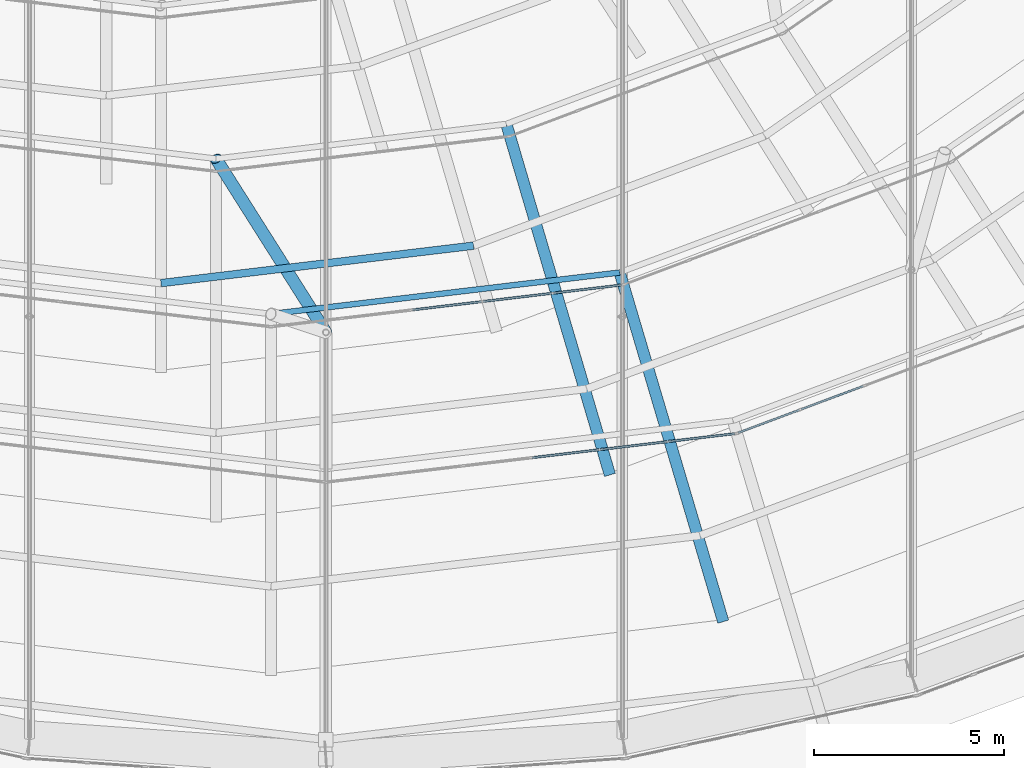
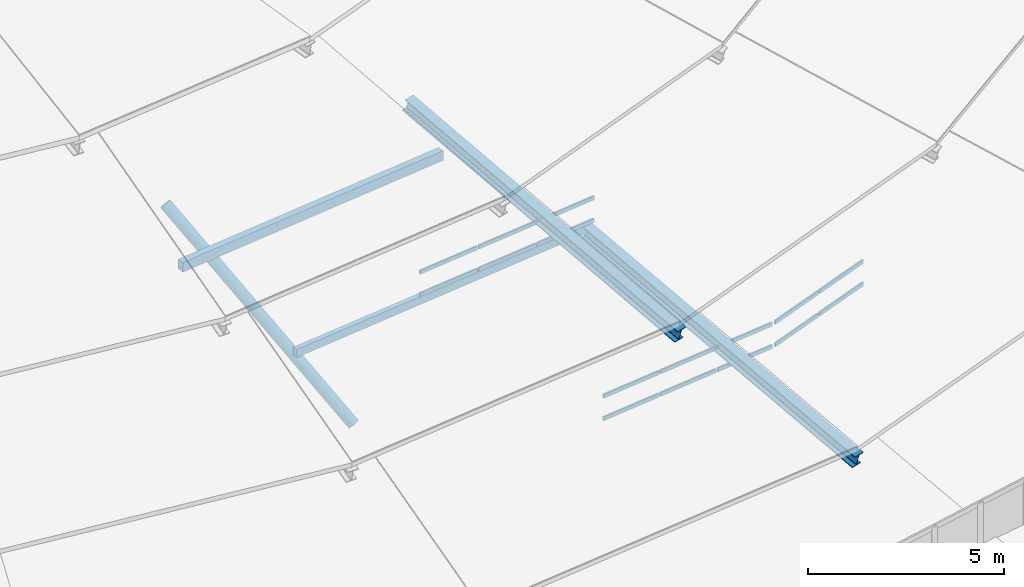
# One storey, part 15 of 173: 21 members, 3 elements without a shape of their own.
"""IFC4 building model written with IfcOpenShell, lengths in metres."""

from ifc_helpers import new_model, si_unit, direction, frame, origin, origin_2d, place, context, subcontext, project, spatial, rectangle, hollow_rectangle, hollow_circle, i_section, extrude, material, material_profile, profile_set, type_object, element, aggregate, save


model = new_model("IFC4")

# Units and contexts
model_context = context("Model", 3, precision=1e-05, world=origin(), true_north=direction((0.0, 1.0)))
body_context = subcontext(model_context, "Body", "Model", "MODEL_VIEW")
ifc_project = project(units=[si_unit("LENGTHUNIT", "METRE"), si_unit("AREAUNIT", "SQUARE_METRE"), si_unit("VOLUMEUNIT", "CUBIC_METRE"), si_unit("PLANEANGLEUNIT", "RADIAN"), si_unit("MASSUNIT", "GRAM", prefix="KILO")], contexts=[model_context])

# Site, building, storey
site_placement = place(None, origin())
site = spatial("IfcSite", under=ifc_project, at=site_placement, CompositionType="ELEMENT")
building_placement = place(site_placement, origin())
building = spatial("IfcBuilding", under=site, at=building_placement, Name="Glasvene Arena", CompositionType="ELEMENT")
storey_placement = place(building_placement, frame((0.0, 0.0, 28.800048828125)))
storey = spatial("IfcBuildingStorey", under=building, at=storey_placement, Name="RF", CompositionType="ELEMENT", Elevation=28.800048828125)

# Curtain wall, members
ifc_material_1 = material(Name="Low-emissivity laminated double glazing", Category="glass")
curtain_wall_type_1 = type_object("IfcCurtainWallType", Name="CW-PET1-1091x75", PredefinedType="USERDEFINED", material=ifc_material_1)
curtain_wall_1_placement = place(storey_placement, frame((92.0, 35.300048828125, 0.0)))
curtain_wall_1 = element("IfcCurtainWall", 1, at=curtain_wall_1_placement, inside=storey, type_object=curtain_wall_type_1, Name="Petal ring 1-2 clerestory curtain wall 19", ObjectType="CURTAIN WALL", PredefinedType="USERDEFINED")
ifc_material_2 = material(Name="Anodised architectural aluminium", Category="aluminium")
ifc_material_profile_1 = material_profile(ifc_material_2, rectangle(XDim=0.050048828125, YDim=0.1201171875, at=origin_2d()), Name="ALU TRANSOM 50x120")
ifc_profile_set_1 = profile_set([ifc_material_profile_1], Name="Anodised architectural aluminium")
member_type_1 = type_object("IfcMemberType", Name="CW-TRN-120", PredefinedType="USERDEFINED", material=ifc_profile_set_1)
member_1_placement = place(storey_placement, frame((97.440673828125, 35.9453125, 2.60498046875), z_axis=(0.993037974268, 0.117794658886, 0.0), x_axis=(-0.117794658886, 0.993037974268, 0.0)))
member_1 = element("IfcMember", 2, at=member_1_placement, type_object=member_type_1, Name="CW-086 transom 4.1", ObjectType="TRANSOM", PredefinedType="USERDEFINED", context=body_context, shape_type="SweptSolid", body=[
    extrude(rectangle(XDim=0.050048828125, YDim=0.1201171875, at=origin_2d()), origin(), (0.0, 0.0, 1.0), 1.767822265625),
])
member_2_placement = place(storey_placement, frame((97.440673828125, 35.9453125, 3.304931640625), z_axis=(0.993037974268, 0.117794658886, 0.0), x_axis=(-0.117794658886, 0.993037974268, 0.0)))
member_2 = element("IfcMember", 3, at=member_2_placement, type_object=member_type_1, Name="CW-086 transom 4.2", ObjectType="TRANSOM", PredefinedType="USERDEFINED", context=body_context, shape_type="SweptSolid", body=[
    extrude(rectangle(XDim=0.050048828125, YDim=0.1201171875, at=origin_2d()), origin(), (0.0, 0.0, 1.0), 1.767822265625),
])
member_3_placement = place(storey_placement, frame((99.245849609375, 36.159423828125, 2.60498046875), z_axis=(0.993037974268, 0.117794658886, 0.0), x_axis=(-0.117794658886, 0.993037974268, 0.0)))
member_3 = element("IfcMember", 4, at=member_3_placement, type_object=member_type_1, Name="CW-086 transom 5.1", ObjectType="TRANSOM", PredefinedType="USERDEFINED", context=body_context, shape_type="SweptSolid", body=[
    extrude(rectangle(XDim=0.050048828125, YDim=0.1201171875, at=origin_2d()), origin(), (0.0, 0.0, 1.0), 1.767822265625),
])
member_4_placement = place(storey_placement, frame((99.245849609375, 36.159423828125, 3.304931640625), z_axis=(0.993037974268, 0.117794658886, 0.0), x_axis=(-0.117794658886, 0.993037974268, 0.0)))
member_4 = element("IfcMember", 5, at=member_4_placement, type_object=member_type_1, Name="CW-086 transom 5.2", ObjectType="TRANSOM", PredefinedType="USERDEFINED", context=body_context, shape_type="SweptSolid", body=[
    extrude(rectangle(XDim=0.050048828125, YDim=0.1201171875, at=origin_2d()), origin(), (0.0, 0.0, 1.0), 1.767822265625),
])
member_5_placement = place(storey_placement, frame((101.05126953125, 36.37353515625, 2.60498046875), z_axis=(0.993052725692, 0.117670234107, 0.0), x_axis=(-0.117670234107, 0.993052725692, 0.0)))
member_5 = element("IfcMember", 6, at=member_5_placement, type_object=member_type_1, Name="CW-086 transom 6.1", ObjectType="TRANSOM", PredefinedType="USERDEFINED", context=body_context, shape_type="SweptSolid", body=[
    extrude(rectangle(XDim=0.050048828125, YDim=0.1201171875, at=origin_2d()), origin(), (0.0, 0.0, 1.0), 1.742919921875),
])
member_6_placement = place(storey_placement, frame((101.05126953125, 36.37353515625, 3.304931640625), z_axis=(0.993052725692, 0.117670234107, 0.0), x_axis=(-0.117670234107, 0.993052725692, 0.0)))
member_6 = element("IfcMember", 7, at=member_6_placement, type_object=member_type_1, Name="CW-086 transom 6.2", ObjectType="TRANSOM", PredefinedType="USERDEFINED", context=body_context, shape_type="SweptSolid", body=[
    extrude(rectangle(XDim=0.050048828125, YDim=0.1201171875, at=origin_2d()), origin(), (0.0, 0.0, 1.0), 1.742919921875),
])
aggregate(curtain_wall_1, [member_1, member_2, member_3, member_4, member_5, member_6])

curtain_wall_type_2 = type_object("IfcCurtainWallType", Name="CW-PET1-1077x75", PredefinedType="USERDEFINED", material=ifc_material_1)
curtain_wall_2_placement = place(storey_placement, frame((102.83154296875, 36.584716796875, 0.0)))
curtain_wall_2 = element("IfcCurtainWall", 8, at=curtain_wall_2_placement, inside=storey, type_object=curtain_wall_type_2, Name="Petal ring 1-2 clerestory curtain wall 20", ObjectType="CURTAIN WALL", PredefinedType="USERDEFINED")
member_7_placement = place(storey_placement, frame((102.87841796875, 36.60205078125, 2.60498046875), z_axis=(0.936893575356, 0.3496146857, 0.0), x_axis=(-0.3496146857, 0.936893575356, 0.0)))
member_7 = element("IfcMember", 9, at=member_7_placement, type_object=member_type_1, Name="CW-085 transom 1.1", ObjectType="TRANSOM", PredefinedType="USERDEFINED", context=body_context, shape_type="SweptSolid", body=[
    extrude(rectangle(XDim=0.050048828125, YDim=0.1201171875, at=origin_2d()), origin(), (0.0, 0.0, 1.0), 1.720703125),
])
member_8_placement = place(storey_placement, frame((102.87841796875, 36.60205078125, 3.304931640625), z_axis=(0.936893575356, 0.3496146857, 0.0), x_axis=(-0.3496146857, 0.936893575356, 0.0)))
member_8 = element("IfcMember", 10, at=member_8_placement, type_object=member_type_1, Name="CW-085 transom 1.2", ObjectType="TRANSOM", PredefinedType="USERDEFINED", context=body_context, shape_type="SweptSolid", body=[
    extrude(rectangle(XDim=0.050048828125, YDim=0.1201171875, at=origin_2d()), origin(), (0.0, 0.0, 1.0), 1.720703125),
])
member_9_placement = place(storey_placement, frame((104.537353515625, 37.220947265625, 2.60498046875), z_axis=(0.936868399673, 0.349682143802, 0.0), x_axis=(-0.349682143802, 0.936868399673, 0.0)))
member_9 = element("IfcMember", 11, at=member_9_placement, type_object=member_type_1, Name="CW-085 transom 2.1", ObjectType="TRANSOM", PredefinedType="USERDEFINED", context=body_context, shape_type="SweptSolid", body=[
    extrude(rectangle(XDim=0.050048828125, YDim=0.1201171875, at=origin_2d()), origin(), (0.0, 0.0, 1.0), 1.745361328125),
])
member_10_placement = place(storey_placement, frame((104.537353515625, 37.220947265625, 3.304931640625), z_axis=(0.936868399673, 0.349682143802, 0.0), x_axis=(-0.349682143802, 0.936868399673, 0.0)))
member_10 = element("IfcMember", 12, at=member_10_placement, type_object=member_type_1, Name="CW-085 transom 2.2", ObjectType="TRANSOM", PredefinedType="USERDEFINED", context=body_context, shape_type="SweptSolid", body=[
    extrude(rectangle(XDim=0.050048828125, YDim=0.1201171875, at=origin_2d()), origin(), (0.0, 0.0, 1.0), 1.745361328125),
])
aggregate(curtain_wall_2, [member_7, member_8, member_9, member_10])

curtain_wall_type_3 = type_object("IfcCurtainWallType", Name="CW-PET2-936x75", PredefinedType="USERDEFINED", material=ifc_material_1)
curtain_wall_3_placement = place(storey_placement, frame((90.550048828125, 39.39990234375, 0.0)))
curtain_wall_3 = element("IfcCurtainWall", 13, at=curtain_wall_3_placement, inside=storey, type_object=curtain_wall_type_3, Name="Petal ring 2-3 clerestory curtain wall 19", ObjectType="CURTAIN WALL", PredefinedType="USERDEFINED")
member_11_placement = place(storey_placement, frame((94.29150390625, 39.84521484375, 5.204833984375), z_axis=(0.992986775597, 0.118225477332, 0.0), x_axis=(-0.118225477332, 0.992986775597, 0.0)))
member_11 = element("IfcMember", 14, at=member_11_placement, type_object=member_type_1, Name="CW-092 transom 3.1", ObjectType="TRANSOM", PredefinedType="USERDEFINED", context=body_context, shape_type="SweptSolid", body=[
    extrude(rectangle(XDim=0.050048828125, YDim=0.1201171875, at=origin_2d()), origin(), (0.0, 0.0, 1.0), 1.8212890625),
])
member_12_placement = place(storey_placement, frame((94.29150390625, 39.84521484375, 5.905029296875), z_axis=(0.992986775597, 0.118225477332, 0.0), x_axis=(-0.118225477332, 0.992986775597, 0.0)))
member_12 = element("IfcMember", 15, at=member_12_placement, type_object=member_type_1, Name="CW-092 transom 3.2", ObjectType="TRANSOM", PredefinedType="USERDEFINED", context=body_context, shape_type="SweptSolid", body=[
    extrude(rectangle(XDim=0.050048828125, YDim=0.1201171875, at=origin_2d()), origin(), (0.0, 0.0, 1.0), 1.8212890625),
])
member_13_placement = place(storey_placement, frame((96.14990234375, 40.06640625, 5.204833984375), z_axis=(0.993002503147, 0.118093305247, 0.0), x_axis=(-0.118093305247, 0.993002503147, 0.0)))
member_13 = element("IfcMember", 16, at=member_13_placement, type_object=member_type_1, Name="CW-092 transom 4.1", ObjectType="TRANSOM", PredefinedType="USERDEFINED", context=body_context, shape_type="SweptSolid", body=[
    extrude(rectangle(XDim=0.050048828125, YDim=0.1201171875, at=origin_2d()), origin(), (0.0, 0.0, 1.0), 1.8212890625),
])
member_14_placement = place(storey_placement, frame((96.14990234375, 40.06640625, 5.905029296875), z_axis=(0.993002503147, 0.118093305247, 0.0), x_axis=(-0.118093305247, 0.993002503147, 0.0)))
member_14 = element("IfcMember", 17, at=member_14_placement, type_object=member_type_1, Name="CW-092 transom 4.2", ObjectType="TRANSOM", PredefinedType="USERDEFINED", context=body_context, shape_type="SweptSolid", body=[
    extrude(rectangle(XDim=0.050048828125, YDim=0.1201171875, at=origin_2d()), origin(), (0.0, 0.0, 1.0), 1.8212890625),
])
member_15_placement = place(storey_placement, frame((98.008056640625, 40.28759765625, 5.204833984375), z_axis=(0.993002320291, 0.118094842799, 0.0), x_axis=(-0.118094842799, 0.993002320291, 0.0)))
member_15 = element("IfcMember", 18, at=member_15_placement, type_object=member_type_1, Name="CW-092 transom 5.1", ObjectType="TRANSOM", PredefinedType="USERDEFINED", context=body_context, shape_type="SweptSolid", body=[
    extrude(rectangle(XDim=0.050048828125, YDim=0.1201171875, at=origin_2d()), origin(), (0.0, 0.0, 1.0), 1.79638671875),
])
member_16_placement = place(storey_placement, frame((98.008056640625, 40.28759765625, 5.905029296875), z_axis=(0.993002320291, 0.118094842799, 0.0), x_axis=(-0.118094842799, 0.993002320291, 0.0)))
member_16 = element("IfcMember", 19, at=member_16_placement, type_object=member_type_1, Name="CW-092 transom 5.2", ObjectType="TRANSOM", PredefinedType="USERDEFINED", context=body_context, shape_type="SweptSolid", body=[
    extrude(rectangle(XDim=0.050048828125, YDim=0.1201171875, at=origin_2d()), origin(), (0.0, 0.0, 1.0), 1.79638671875),
])
aggregate(curtain_wall_3, [member_11, member_12, member_13, member_14, member_15, member_16])

# Members
ifc_material_3 = material(Name="Steel S355J2", Category="steel")
ifc_material_profile_2 = material_profile(ifc_material_3, i_section(OverallWidth=0.300048828125, OverallDepth=0.39990234375, WebThickness=0.013427734375, FlangeThickness=0.02392578125, FilletRadius=0.027099609375, at=origin_2d()), Name="HEB 400")
ifc_profile_set_2 = profile_set([ifc_material_profile_2], Name="Steel S355J2")
member_type_2 = type_object("IfcMemberType", Name="MB-CHORD-HEB400", PredefinedType="CHORD", material=ifc_profile_set_2)
member_17_placement = place(storey_placement, frame((102.468505859375, 31.66748046875, 2.14990234375), z_axis=(-0.274747564665, 0.926307304531, 0.257814959386), x_axis=(-0.958717406977, -0.28436056963, 0.0)))
element("IfcMember", 20, at=member_17_placement, inside=storey, type_object=member_type_2, Name="Petal ring 2 radial rib 20", PredefinedType="CHORD", context=body_context, shape_type="SweptSolid", body=[
    extrude(i_section(OverallWidth=0.300048828125, OverallDepth=0.39990234375, WebThickness=0.013427734375, FlangeThickness=0.02392578125, FilletRadius=0.027099609375, at=origin_2d()), origin(), (0.0, 0.0, 1.0), 9.89111328125),
])
member_18_placement = place(storey_placement, frame((99.478515625, 35.540283203125, 4.75), z_axis=(-0.273259819694, 0.925734843306, 0.261426989482), x_axis=(-0.959088832468, -0.283105300968, 0.0)))
element("IfcMember", 21, at=member_18_placement, inside=storey, type_object=member_type_2, Name="Petal ring 3 radial rib 20", PredefinedType="CHORD", context=body_context, shape_type="SweptSolid", body=[
    extrude(i_section(OverallWidth=0.300048828125, OverallDepth=0.39990234375, WebThickness=0.013427734375, FlangeThickness=0.02392578125, FilletRadius=0.027099609375, at=origin_2d()), origin(), (0.0, 0.0, 1.0), 9.94482421875),
])
ifc_material_profile_3 = material_profile(ifc_material_3, hollow_circle(Radius=0.161865234375, WallThickness=0.01611328125, at=origin_2d()), Name="CHS 323.9x16.0")
ifc_profile_set_3 = profile_set([ifc_material_profile_3], Name="Steel S355J2")
member_type_3 = type_object("IfcMemberType", Name="MB-POST-CHS324", PredefinedType="BRACE", material=ifc_profile_set_3)
member_19_placement = place(storey_placement, frame((92.0, 39.25, 2.328857421875), z_axis=(-0.389472828834, 0.615293621238, 0.685364629423), x_axis=(-0.844951348637, -0.534843171815, 0.0)))
element("IfcMember", 22, at=member_19_placement, inside=storey, type_object=member_type_3, Name="Petal ring 3 ridge support post 19", PredefinedType="BRACE", context=body_context, shape_type="SweptSolid", body=[
    extrude(hollow_circle(Radius=0.161865234375, WallThickness=0.01611328125, at=origin_2d()), origin(), (0.0, 0.0, 1.0), 7.44580078125),
])
ifc_material_profile_4 = material_profile(ifc_material_3, hollow_rectangle(XDim=0.14990234375, YDim=0.25, WallThickness=0.010009765625, at=origin_2d()), Name="RHS 250x150x10.0")
ifc_profile_set_4 = profile_set([ifc_material_profile_4], Name="Steel S355J2")
member_type_4 = type_object("IfcMemberType", Name="MB-PURLIN-RHS250", PredefinedType="PURLIN", material=ifc_profile_set_4)
member_20_placement = place(storey_placement, frame((90.550048828125, 39.7353515625, 4.781982421875), z_axis=(0.993002332555, 0.118094739685, 0.0), x_axis=(-0.118094739685, 0.993002332555, 0.0)))
element("IfcMember", 23, at=member_20_placement, inside=storey, type_object=member_type_4, Name="Petal ring 2 ridge purlin 19", PredefinedType="PURLIN", context=body_context, shape_type="SweptSolid", body=[
    extrude(hollow_rectangle(XDim=0.14990234375, YDim=0.25, WallThickness=0.010009765625, at=origin_2d()), origin(), (0.0, 0.0, 1.0), 9.265869140625),
])
ifc_material_profile_5 = material_profile(ifc_material_3, hollow_rectangle(XDim=0.199951171875, YDim=0.300048828125, WallThickness=0.012451171875, at=origin_2d()), Name="RHS 300x200x12.5")
ifc_profile_set_5 = profile_set([ifc_material_profile_5], Name="Steel S355J2")
member_type_5 = type_object("IfcMemberType", Name="MB-PURLIN-RHS300", PredefinedType="PURLIN", material=ifc_profile_set_5)
member_21_placement = place(storey_placement, frame((87.64990234375, 40.550048828125, 8.00048828125), z_axis=(0.992893526149, 0.119006074347, 0.0), x_axis=(-0.119006074347, 0.992893526149, 0.0)))
element("IfcMember", 24, at=member_21_placement, inside=storey, type_object=member_type_5, Name="Petal ring 4 outer purlin 19", PredefinedType="PURLIN", context=body_context, shape_type="SweptSolid", body=[
    extrude(hollow_rectangle(XDim=0.199951171875, YDim=0.300048828125, WallThickness=0.012451171875, at=origin_2d()), origin(), (0.0, 0.0, 1.0), 8.302490234375),
])

save(model, "model.ifc")
